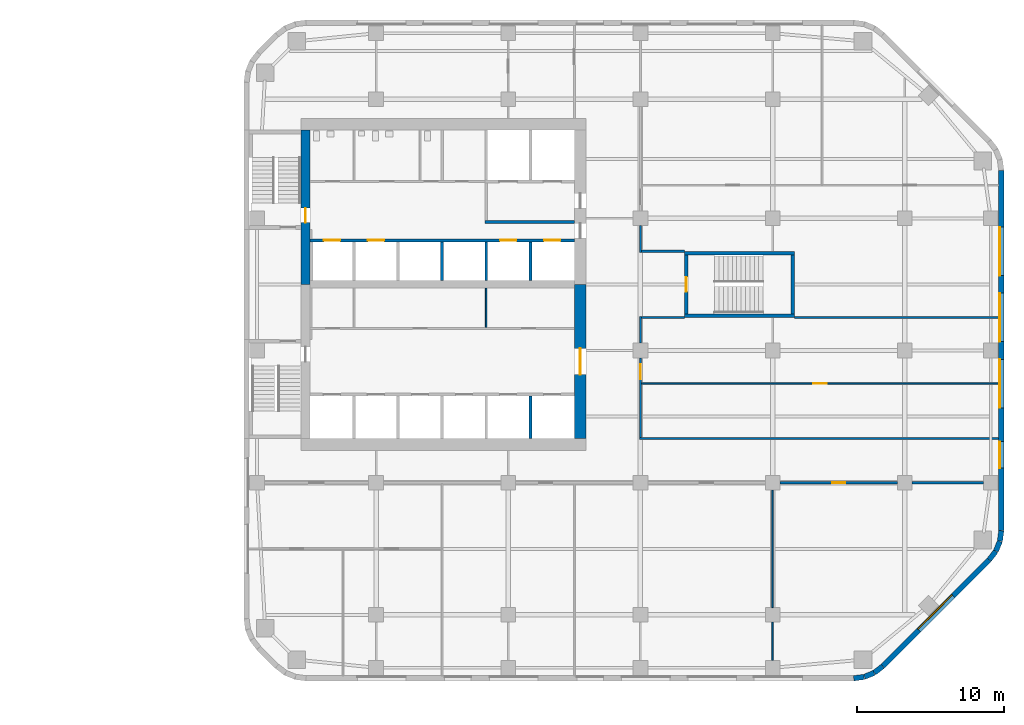
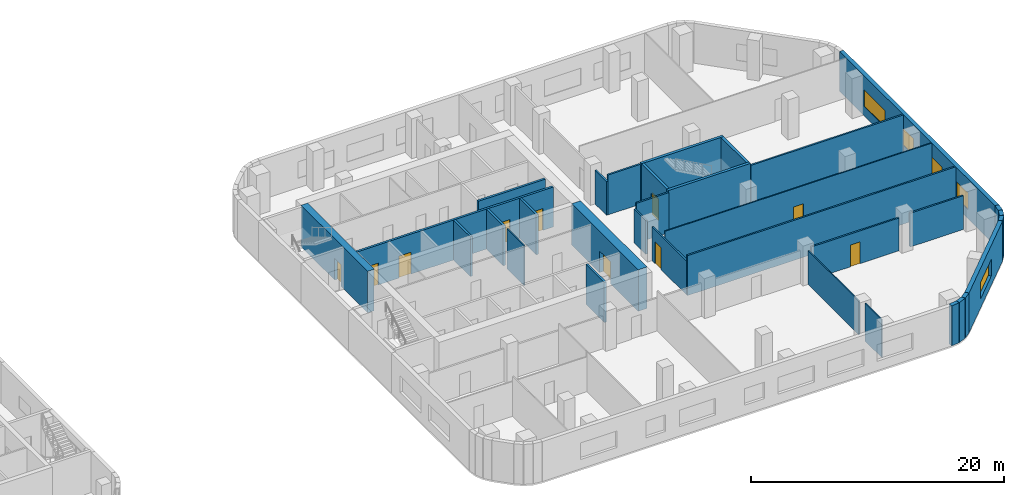
# One storey, part 9 of 14: 33 walls, 10 doors, 5 windows, 15 openings.
"""IFC4 building model written with IfcOpenShell, lengths in metres."""

from ifc_helpers import new_model, si_unit, direction, frame, frame_2d, origin, place, context, subcontext, project, spatial, rectangle, extrude, material, layer, layer_set, type_object, element, fill, save


model = new_model("IFC4")

# Units and contexts
model_context = context("Model", 3, precision=1e-05, world=origin(), true_north=direction((0.0, 1.0)))
body_context = subcontext(model_context, "Body", "Model", "MODEL_VIEW")
ifc_project = project(units=[si_unit("LENGTHUNIT", "METRE"), si_unit("AREAUNIT", "SQUARE_METRE"), si_unit("VOLUMEUNIT", "CUBIC_METRE"), si_unit("PLANEANGLEUNIT", "RADIAN"), si_unit("MASSUNIT", "GRAM", prefix="KILO")], contexts=[model_context])

# Site, building, storey
site_placement = place(None, origin())
site = spatial("IfcSite", under=ifc_project, at=site_placement, CompositionType="ELEMENT")
building_placement = place(site_placement, origin())
building = spatial("IfcBuilding", under=site, at=building_placement, Name="Cinnabar Reach Civic Tower", CompositionType="ELEMENT")
storey_placement = place(building_placement, frame((0.0, 0.0, 124.0)))
storey = spatial("IfcBuildingStorey", under=building, at=storey_placement, Name="L29", CompositionType="ELEMENT", Elevation=124.0)

# Walls
ifc_material_1 = material(Name="Facing brick with insulated backing", Category="masonry")
ifc_layer_1 = layer(ifc_material_1, 0.36)
ifc_layer_set_1 = layer_set([ifc_layer_1], Name="Brick corner wall")
wall_type_1 = type_object("IfcWallType", Name="Brick corner wall", PredefinedType="STANDARD", material=ifc_layer_set_1)
for number, where, z_axis, x_axis, name in (
    (1, (41.5186, 4.683, 0.0), (0.0, 0.0, 1.0), (0.99144092581, 0.13055608231, 0.0), "Brick corner wall"),
    (2, (42.2473, 4.7819, 0.0), (0.0, 0.0, 1.0), (0.923871547278, 0.382702709855, 0.0), "Brick corner wall"),
):
    element("IfcWall", number, at=place(storey_placement, frame(where, z_axis=z_axis, x_axis=x_axis)), inside=storey, type_object=wall_type_1, Name=name, PredefinedType="STANDARD", context=body_context, shape_type="SweptSolid", body=[
        extrude(rectangle(XDim=0.7131, YDim=0.36, at=frame_2d((0.3565, 0.0))), origin(), (0.0, 0.0, 1.0), 3.85),
    ])
for number, where, z_axis, x_axis, name in (
    (3, (42.9255, 5.066, 0.0), (0.0, 0.0, 1.0), (0.793321924995, 0.608802368033, 0.0), "Brick corner wall"),
    (4, (50.7498, 12.7587, 0.0), (0.0, 0.0, 1.0), (0.608802368033, 0.793321924995, 0.0), "Brick corner wall"),
):
    element("IfcWall", number, at=place(storey_placement, frame(where, z_axis=z_axis, x_axis=x_axis)), inside=storey, type_object=wall_type_1, Name=name, PredefinedType="STANDARD", context=body_context, shape_type="SweptSolid", body=[
        extrude(rectangle(XDim=0.7132, YDim=0.36, at=frame_2d((0.3566, 0.0))), origin(), (0.0, 0.0, 1.0), 3.85),
    ])
for number, where, z_axis, x_axis, name in (
    (5, (51.1952, 13.3439, 0.0), (0.0, 0.0, 1.0), (0.382702709855, 0.923871547278, 0.0), "Brick corner wall"),
    (6, (51.4739, 14.0244, 0.0), (0.0, 0.0, 1.0), (0.13055608231, 0.99144092581, 0.0), "Brick corner wall"),
):
    element("IfcWall", number, at=place(storey_placement, frame(where, z_axis=z_axis, x_axis=x_axis)), inside=storey, type_object=wall_type_1, Name=name, PredefinedType="STANDARD", context=body_context, shape_type="SweptSolid", body=[
        extrude(rectangle(XDim=0.7131, YDim=0.36, at=frame_2d((0.3565, 0.0))), origin(), (0.0, 0.0, 1.0), 3.85),
    ])

# Wall, opening, window
ifc_layer_2 = layer(ifc_material_1, 0.36)
ifc_layer_set_2 = layer_set([ifc_layer_2], Name="Brick pier and spandrel wall")
wall_type_2 = type_object("IfcWallType", Name="Brick pier and spandrel wall", PredefinedType="STANDARD", material=ifc_layer_set_2)
wall_1_placement = place(storey_placement, frame((43.5014, 5.506, 0.0), z_axis=(0.0, 0.0, 1.0), x_axis=(0.707106781187, 0.707106781187, 0.0)))
wall_1 = element("IfcWall", 7, at=wall_1_placement, inside=storey, type_object=wall_type_2, Name="Brick facade wall", PredefinedType="STANDARD", context=body_context, shape_type="SweptSolid", body=[
    extrude(rectangle(XDim=10.2426, YDim=0.36, at=frame_2d((5.1213, 0.0))), origin(), (0.0, 0.0, 1.0), 3.85),
])
opening_1_placement = place(wall_1_placement, frame((3.4713, 0.0, 0.9)))
opening_1 = element("IfcOpeningElement", 8, at=opening_1_placement, cuts=wall_1, Name="Opening W1618", PredefinedType="OPENING", context=body_context, shape_type="SweptSolid", body=[
    extrude(rectangle(XDim=3.3, YDim=1.6, at=frame_2d((1.65, 0.8))), frame((0.0, 0.19, 0.0), z_axis=(0.0, -1.0, 0.0), x_axis=(1.0, 0.0, 0.0)), (0.0, 0.0, 1.0), 0.38),
])
ifc_material_2 = material(Name="Clear double glazing in aluminium frame", Category="aluminium")
window_type_1 = type_object("IfcWindowType", Name="Deep-set window A", PartitioningType="SINGLE_PANEL", PredefinedType="WINDOW", material=ifc_material_2)
window_1_placement = place(opening_1_placement, origin())
window_1 = element("IfcWindow", 9, at=window_1_placement, inside=storey, type_object=window_type_1, Name="Window southeast face", OverallHeight=1.6, OverallWidth=3.3, PartitioningType="SINGLE_PANEL", PredefinedType="WINDOW", context=body_context, shape_type="SweptSolid", body=[
    extrude(rectangle(XDim=3.3, YDim=1.6, at=frame_2d((1.65, 0.8))), frame((0.0, 0.13, 0.0), z_axis=(0.0, -1.0, 0.0), x_axis=(1.0, 0.0, 0.0)), (0.0, 0.0, 1.0), 0.06),
])
fill(opening_1, window_1)

# Wall, openings, windows
wall_2_placement = place(storey_placement, frame((51.57, 14.7426, 0.0), z_axis=(0.0, 0.0, 1.0), x_axis=(0.0, 1.0, 0.0)))
wall_2 = element("IfcWall", 10, at=wall_2_placement, inside=storey, type_object=wall_type_2, Name="Brick facade wall", PredefinedType="STANDARD", context=body_context, shape_type="SweptSolid", body=[
    extrude(rectangle(XDim=24.5148, YDim=0.36, at=frame_2d((12.2574, 0.0))), origin(), (0.0, 0.0, 1.0), 3.85),
])
opening_2_placement = place(wall_2_placement, frame((4.2574, 0.0, 0.9)))
opening_2 = element("IfcOpeningElement", 11, at=opening_2_placement, cuts=wall_2, Name="Opening W1619", PredefinedType="OPENING", context=body_context, shape_type="SweptSolid", body=[
    extrude(rectangle(XDim=1.8, YDim=1.6, at=frame_2d((0.9, 0.8))), frame((0.0, 0.19, 0.0), z_axis=(0.0, -1.0, 0.0), x_axis=(1.0, 0.0, 0.0)), (0.0, 0.0, 1.0), 0.38),
])
opening_3_placement = place(wall_2_placement, frame((8.3574, 0.0, 0.9)))
opening_3 = element("IfcOpeningElement", 12, at=opening_3_placement, cuts=wall_2, Name="Opening W1620", PredefinedType="OPENING", context=body_context, shape_type="SweptSolid", body=[
    extrude(rectangle(XDim=3.3, YDim=1.6, at=frame_2d((1.65, 0.8))), frame((0.0, 0.19, 0.0), z_axis=(0.0, -1.0, 0.0), x_axis=(1.0, 0.0, 0.0)), (0.0, 0.0, 1.0), 0.38),
])
opening_4_placement = place(wall_2_placement, frame((12.8574, 0.0, 0.9)))
opening_4 = element("IfcOpeningElement", 13, at=opening_4_placement, cuts=wall_2, Name="Opening W1621", PredefinedType="OPENING", context=body_context, shape_type="SweptSolid", body=[
    extrude(rectangle(XDim=3.3, YDim=1.6, at=frame_2d((1.65, 0.8))), frame((0.0, 0.19, 0.0), z_axis=(0.0, -1.0, 0.0), x_axis=(1.0, 0.0, 0.0)), (0.0, 0.0, 1.0), 0.38),
])
opening_5_placement = place(wall_2_placement, frame((17.3574, 0.0, 0.9)))
opening_5 = element("IfcOpeningElement", 14, at=opening_5_placement, cuts=wall_2, Name="Opening W1622", PredefinedType="OPENING", context=body_context, shape_type="SweptSolid", body=[
    extrude(rectangle(XDim=3.3, YDim=1.6, at=frame_2d((1.65, 0.8))), frame((0.0, 0.19, 0.0), z_axis=(0.0, -1.0, 0.0), x_axis=(1.0, 0.0, 0.0)), (0.0, 0.0, 1.0), 0.38),
])
window_2_placement = place(opening_3_placement, origin())
window_2 = element("IfcWindow", 15, at=window_2_placement, inside=storey, type_object=window_type_1, Name="Window east face", OverallHeight=1.6, OverallWidth=3.3, PartitioningType="SINGLE_PANEL", PredefinedType="WINDOW", context=body_context, shape_type="SweptSolid", body=[
    extrude(rectangle(XDim=3.3, YDim=1.6, at=frame_2d((1.65, 0.8))), frame((0.0, 0.13, 0.0), z_axis=(0.0, -1.0, 0.0), x_axis=(1.0, 0.0, 0.0)), (0.0, 0.0, 1.0), 0.06),
])
fill(opening_3, window_2)
window_3_placement = place(opening_4_placement, origin())
window_3 = element("IfcWindow", 16, at=window_3_placement, inside=storey, type_object=window_type_1, Name="Window east face", OverallHeight=1.6, OverallWidth=3.3, PartitioningType="SINGLE_PANEL", PredefinedType="WINDOW", context=body_context, shape_type="SweptSolid", body=[
    extrude(rectangle(XDim=3.3, YDim=1.6, at=frame_2d((1.65, 0.8))), frame((0.0, 0.13, 0.0), z_axis=(0.0, -1.0, 0.0), x_axis=(1.0, 0.0, 0.0)), (0.0, 0.0, 1.0), 0.06),
])
fill(opening_4, window_3)
window_4_placement = place(opening_5_placement, origin())
window_4 = element("IfcWindow", 17, at=window_4_placement, inside=storey, type_object=window_type_1, Name="Window east face", OverallHeight=1.6, OverallWidth=3.3, PartitioningType="SINGLE_PANEL", PredefinedType="WINDOW", context=body_context, shape_type="SweptSolid", body=[
    extrude(rectangle(XDim=3.3, YDim=1.6, at=frame_2d((1.65, 0.8))), frame((0.0, 0.13, 0.0), z_axis=(0.0, -1.0, 0.0), x_axis=(1.0, 0.0, 0.0)), (0.0, 0.0, 1.0), 0.06),
])
fill(opening_5, window_4)
window_type_2 = type_object("IfcWindowType", Name="Deep-set window D", PartitioningType="SINGLE_PANEL", PredefinedType="WINDOW", material=ifc_material_2)
window_5_placement = place(opening_2_placement, origin())
window_5 = element("IfcWindow", 18, at=window_5_placement, inside=storey, type_object=window_type_2, Name="Window east face", OverallHeight=1.6, OverallWidth=1.8, PartitioningType="SINGLE_PANEL", PredefinedType="WINDOW", context=body_context, shape_type="SweptSolid", body=[
    extrude(rectangle(XDim=1.8, YDim=1.6, at=frame_2d((0.9, 0.8))), frame((0.0, 0.13, 0.0), z_axis=(0.0, -1.0, 0.0), x_axis=(1.0, 0.0, 0.0)), (0.0, 0.0, 1.0), 0.06),
])
fill(opening_2, window_5)

# Wall, opening, door
ifc_material_3 = material(Name="Concrete C70", Category="concrete")
ifc_layer_3 = layer(ifc_material_3, 0.6)
ifc_layer_set_3 = layer_set([ifc_layer_3], Name="Core wall 600 EI 180")
wall_type_3 = type_object("IfcWallType", Name="Core wall 600 EI 180", PredefinedType="SOLIDWALL", material=ifc_layer_set_3)
wall_3_placement = place(storey_placement, frame((4.2, 42.0, 0.0), z_axis=(0.0, 0.0, 1.0), x_axis=(0.0, -1.0, 0.0)))
wall_3 = element("IfcWall", 19, at=wall_3_placement, inside=storey, type_object=wall_type_3, Name="Core wall T1 L29 W", PredefinedType="SOLIDWALL", context=body_context, shape_type="SweptSolid", body=[
    extrude(rectangle(XDim=10.5, YDim=0.6, at=frame_2d((5.25, 0.0))), origin(), (0.0, 0.0, 1.0), 4.0),
])
opening_6_placement = place(wall_3_placement, frame((5.3, 0.0, 0.0)))
opening_6 = element("IfcOpeningElement", 20, at=opening_6_placement, cuts=wall_3, Name="Opening D4174", PredefinedType="OPENING", context=body_context, shape_type="SweptSolid", body=[
    extrude(rectangle(XDim=1.0, YDim=2.1, at=frame_2d((0.5, 1.05))), frame((0.0, 0.31, 0.0), z_axis=(0.0, -1.0, 0.0), x_axis=(1.0, 0.0, 0.0)), (0.0, 0.0, 1.0), 0.62),
])
ifc_material_4 = material(Name="Timber door leaf in steel frame", Category="steel")
door_type_1 = type_object("IfcDoorType", Name="Stair door 1000 x 2100 T1", OperationType="SINGLE_SWING_LEFT", PredefinedType="DOOR", material=ifc_material_4)
door_1_placement = place(opening_6_placement, frame((1.0, 0.0, 0.0), z_axis=(0.0, 0.0, 1.0), x_axis=(-1.0, 0.0, 0.0)))
door_1 = element("IfcDoor", 21, at=door_1_placement, inside=storey, type_object=door_type_1, Name="Door D4174", OperationType="SINGLE_SWING_LEFT", OverallHeight=2.1, OverallWidth=1.0, PredefinedType="DOOR", context=body_context, shape_type="SweptSolid", body=[
    extrude(rectangle(XDim=1.0, YDim=2.1, at=frame_2d((0.5, 1.05))), frame((0.0, 0.025, 0.0), z_axis=(0.0, -1.0, 0.0), x_axis=(1.0, 0.0, 0.0)), (0.0, 0.0, 1.0), 0.05),
])
fill(opening_6, door_1)

ifc_layer_4 = layer(ifc_material_3, 0.8)
ifc_layer_set_4 = layer_set([ifc_layer_4], Name="Core wall 800 EI 180")
wall_type_4 = type_object("IfcWallType", Name="Core wall 800 EI 180", PredefinedType="SOLIDWALL", material=ifc_layer_set_4)
wall_4_placement = place(storey_placement, frame((22.9, 21.0, 0.0), z_axis=(0.0, 0.0, 1.0), x_axis=(0.0, 1.0, 0.0)))
wall_4 = element("IfcWall", 22, at=wall_4_placement, inside=storey, type_object=wall_type_4, Name="Core wall T1 L29 E", PredefinedType="SOLIDWALL", context=body_context, shape_type="SweptSolid", body=[
    extrude(rectangle(XDim=10.5, YDim=0.8, at=frame_2d((5.25, 0.0))), origin(), (0.0, 0.0, 1.0), 4.0),
])
opening_7_placement = place(wall_4_placement, frame((4.35, 0.0, 0.0)))
opening_7 = element("IfcOpeningElement", 23, at=opening_7_placement, cuts=wall_4, Name="Opening D4188", PredefinedType="OPENING", context=body_context, shape_type="SweptSolid", body=[
    extrude(rectangle(XDim=1.8, YDim=2.1, at=frame_2d((0.9, 1.05))), frame((0.0, 0.41, 0.0), z_axis=(0.0, -1.0, 0.0), x_axis=(1.0, 0.0, 0.0)), (0.0, 0.0, 1.0), 0.82),
])
door_type_2 = type_object("IfcDoorType", Name="Double swing door 1800 x 2100 T1", OperationType="DOUBLE_DOOR_DOUBLE_SWING", PredefinedType="DOOR", material=ifc_material_4)
door_2_placement = place(opening_7_placement, origin())
door_2 = element("IfcDoor", 24, at=door_2_placement, inside=storey, type_object=door_type_2, Name="Door D4188", OperationType="DOUBLE_DOOR_DOUBLE_SWING", OverallHeight=2.1, OverallWidth=1.8, PredefinedType="DOOR", context=body_context, shape_type="SweptSolid", body=[
    extrude(rectangle(XDim=1.8, YDim=2.1, at=frame_2d((0.9, 1.05))), frame((0.0, 0.025, 0.0), z_axis=(0.0, -1.0, 0.0), x_axis=(1.0, 0.0, 0.0)), (0.0, 0.0, 1.0), 0.05),
])
fill(opening_7, door_2)

# Wall
ifc_material_5 = material(Name="Gypsum board on steel studs, double layer", Category="steel")
ifc_layer_5 = layer(ifc_material_5, 0.15)
ifc_layer_set_5 = layer_set([ifc_layer_5], Name="Corridor wall 150 T1")
wall_type_5 = type_object("IfcWallType", Name="Corridor wall 150 T1", PredefinedType="PARTITIONING", material=ifc_layer_set_5)
wall_5_placement = place(storey_placement, frame((45.5, 18.0, 0.0), z_axis=(0.0, 0.0, 1.0), x_axis=(1.0, 0.0, 0.0)))
element("IfcWall", 25, at=wall_5_placement, inside=storey, type_object=wall_type_5, Name="Corridor wall 19", PredefinedType="PARTITIONING", context=body_context, shape_type="SweptSolid", body=[
    extrude(rectangle(XDim=4.85, YDim=0.15, at=frame_2d((2.425, 0.0))), origin(), (0.0, 0.0, 1.0), 3.254),
])

# Wall, opening, door
wall_6_placement = place(storey_placement, frame((36.5, 18.0, 0.0), z_axis=(0.0, 0.0, 1.0), x_axis=(1.0, 0.0, 0.0)))
wall_6 = element("IfcWall", 26, at=wall_6_placement, inside=storey, type_object=wall_type_5, Name="Corridor wall 20", PredefinedType="PARTITIONING", context=body_context, shape_type="SweptSolid", body=[
    extrude(rectangle(XDim=8.0, YDim=0.15, at=frame_2d((4.0, 0.0))), origin(), (0.0, 0.0, 1.0), 3.158),
])
opening_8_placement = place(wall_6_placement, frame((3.55, 0.0, 0.0)))
opening_8 = element("IfcOpeningElement", 27, at=opening_8_placement, cuts=wall_6, Name="Opening D4209", PredefinedType="OPENING", context=body_context, shape_type="SweptSolid", body=[
    extrude(rectangle(XDim=0.9, YDim=2.1, at=frame_2d((0.45, 1.05))), frame((0.0, 0.085, 0.0), z_axis=(0.0, -1.0, 0.0), x_axis=(1.0, 0.0, 0.0)), (0.0, 0.0, 1.0), 0.17),
])
door_type_3 = type_object("IfcDoorType", Name="Single swing door 900 x 2100 corridor T1", OperationType="SINGLE_SWING_LEFT", PredefinedType="DOOR", material=ifc_material_4)
door_3_placement = place(opening_8_placement, frame((0.9, 0.0, 0.0), z_axis=(0.0, 0.0, 1.0), x_axis=(-1.0, 0.0, 0.0)))
door_3 = element("IfcDoor", 28, at=door_3_placement, inside=storey, type_object=door_type_3, Name="Door D4209", OperationType="SINGLE_SWING_LEFT", OverallHeight=2.1, OverallWidth=0.9, PredefinedType="DOOR", context=body_context, shape_type="SweptSolid", body=[
    extrude(rectangle(XDim=0.9, YDim=2.1, at=frame_2d((0.45, 1.05))), frame((0.0, 0.025, 0.0), z_axis=(0.0, -1.0, 0.0), x_axis=(1.0, 0.0, 0.0)), (0.0, 0.0, 1.0), 0.05),
])
fill(opening_8, door_3)

# Walls
wall_7_placement = place(storey_placement, frame((26.925, 21.0, 0.0), z_axis=(0.0, 0.0, 1.0), x_axis=(1.0, 0.0, 0.0)))
element("IfcWall", 29, at=wall_7_placement, inside=storey, type_object=wall_type_5, Name="Corridor wall 25", PredefinedType="PARTITIONING", context=body_context, shape_type="SweptSolid", body=[
    extrude(rectangle(XDim=24.465, YDim=0.15, at=frame_2d((12.2325, 0.0))), origin(), (0.0, 0.0, 1.0), 3.85),
])
wall_8_placement = place(storey_placement, frame((27.0, 33.675, 0.0), z_axis=(0.0, 0.0, 1.0), x_axis=(0.0, 1.0, 0.0)))
element("IfcWall", 30, at=wall_8_placement, inside=storey, type_object=wall_type_5, Name="Corridor wall 27", PredefinedType="PARTITIONING", context=body_context, shape_type="SweptSolid", body=[
    extrude(rectangle(XDim=1.825, YDim=0.15, at=frame_2d((0.9125, 0.0))), origin(), (0.0, 0.0, 1.0), 3.256),
])

# Wall, opening, door
wall_9_placement = place(storey_placement, frame((27.0, 21.075, 0.0), z_axis=(0.0, 0.0, 1.0), x_axis=(0.0, 1.0, 0.0)))
wall_9 = element("IfcWall", 31, at=wall_9_placement, inside=storey, type_object=wall_type_5, Name="Corridor wall 31", PredefinedType="PARTITIONING", context=body_context, shape_type="SweptSolid", body=[
    extrude(rectangle(XDim=5.425, YDim=0.15, at=frame_2d((2.7125, 0.0))), origin(), (0.0, 0.0, 1.0), 3.256),
])
opening_9_placement = place(wall_9_placement, frame((3.975, 0.0, 0.0)))
opening_9 = element("IfcOpeningElement", 32, at=opening_9_placement, cuts=wall_9, Name="Opening D4202", PredefinedType="OPENING", context=body_context, shape_type="SweptSolid", body=[
    extrude(rectangle(XDim=1.0, YDim=2.1, at=frame_2d((0.5, 1.05))), frame((0.0, 0.085, 0.0), z_axis=(0.0, -1.0, 0.0), x_axis=(1.0, 0.0, 0.0)), (0.0, 0.0, 1.0), 0.17),
])
door_type_4 = type_object("IfcDoorType", Name="Tenancy entrance door 1000 x 2100 T1", OperationType="SINGLE_SWING_LEFT", PredefinedType="DOOR", material=ifc_material_4)
door_4_placement = place(opening_9_placement, frame((1.0, 0.0, 0.0), z_axis=(0.0, 0.0, 1.0), x_axis=(-1.0, 0.0, 0.0)))
door_4 = element("IfcDoor", 33, at=door_4_placement, inside=storey, type_object=door_type_4, Name="Door D4202", OperationType="SINGLE_SWING_RIGHT", OverallHeight=2.1, OverallWidth=1.0, PredefinedType="DOOR", context=body_context, shape_type="SweptSolid", body=[
    extrude(rectangle(XDim=1.0, YDim=2.1, at=frame_2d((0.5, 1.05))), frame((0.0, 0.025, 0.0), z_axis=(0.0, -1.0, 0.0), x_axis=(1.0, 0.0, 0.0)), (0.0, 0.0, 1.0), 0.05),
])
fill(opening_9, door_4)

# Walls
wall_10_placement = place(storey_placement, frame((27.0, 27.5, 0.0), z_axis=(0.0, 0.0, 1.0), x_axis=(0.0, 1.0, 0.0)))
element("IfcWall", 34, at=wall_10_placement, inside=storey, type_object=wall_type_5, Name="Corridor wall 32", PredefinedType="PARTITIONING", context=body_context, shape_type="SweptSolid", body=[
    extrude(rectangle(XDim=1.825, YDim=0.15, at=frame_2d((0.9125, 0.0))), origin(), (0.0, 0.0, 1.0), 3.256),
])
for number, where, z_axis, x_axis, name in (
    (35, (27.075, 29.25, 0.0), (0.0, 0.0, 1.0), (1.0, 0.0, 0.0), "Corridor wall 36"),
    (36, (27.075, 33.75, 0.0), (0.0, 0.0, 1.0), (1.0, 0.0, 0.0), "Corridor wall 37"),
):
    element("IfcWall", number, at=place(storey_placement, frame(where, z_axis=z_axis, x_axis=x_axis)), inside=storey, type_object=wall_type_5, Name=name, PredefinedType="PARTITIONING", context=body_context, shape_type="SweptSolid", body=[
        extrude(rectangle(XDim=2.925, YDim=0.15, at=frame_2d((1.4625, 0.0))), origin(), (0.0, 0.0, 1.0), 3.85),
    ])

# Wall, openings, doors
ifc_material_6 = material(Name="Blockwork", Category="masonry")
ifc_layer_6 = layer(ifc_material_6, 0.2)
ifc_layer_set_6 = layer_set([ifc_layer_6], Name="Lift shaft wall 200 T1")
wall_type_6 = type_object("IfcWallType", Name="Lift shaft wall 200 T1", PredefinedType="PARTITIONING", material=ifc_layer_set_6)
wall_11_placement = place(storey_placement, frame((4.5, 34.5, 0.0), z_axis=(0.0, 0.0, 1.0), x_axis=(1.0, 0.0, 0.0)))
wall_11 = element("IfcWall", 37, at=wall_11_placement, inside=storey, type_object=wall_type_6, Name="Lift shaft wall 5", PredefinedType="PARTITIONING", context=body_context, shape_type="SweptSolid", body=[
    extrude(rectangle(XDim=18.0, YDim=0.2, at=frame_2d((9.0, 0.0))), origin(), (0.0, 0.0, 1.0), 3.85),
])
opening_10_placement = place(wall_11_placement, frame((0.95, 0.0, 0.0)))
opening_10 = element("IfcOpeningElement", 38, at=opening_10_placement, cuts=wall_11, Name="Opening D4182", PredefinedType="OPENING", context=body_context, shape_type="SweptSolid", body=[
    extrude(rectangle(XDim=1.1, YDim=2.1, at=frame_2d((0.55, 1.05))), frame((0.0, 0.11, 0.0), z_axis=(0.0, -1.0, 0.0), x_axis=(1.0, 0.0, 0.0)), (0.0, 0.0, 1.0), 0.22),
])
opening_11_placement = place(wall_11_placement, frame((3.95, 0.0, 0.0)))
opening_11 = element("IfcOpeningElement", 39, at=opening_11_placement, cuts=wall_11, Name="Opening D4183", PredefinedType="OPENING", context=body_context, shape_type="SweptSolid", body=[
    extrude(rectangle(XDim=1.1, YDim=2.1, at=frame_2d((0.55, 1.05))), frame((0.0, 0.11, 0.0), z_axis=(0.0, -1.0, 0.0), x_axis=(1.0, 0.0, 0.0)), (0.0, 0.0, 1.0), 0.22),
])
opening_12_placement = place(wall_11_placement, frame((12.95, 0.0, 0.0)))
opening_12 = element("IfcOpeningElement", 40, at=opening_12_placement, cuts=wall_11, Name="Opening D4184", PredefinedType="OPENING", context=body_context, shape_type="SweptSolid", body=[
    extrude(rectangle(XDim=1.1, YDim=2.1, at=frame_2d((0.55, 1.05))), frame((0.0, 0.11, 0.0), z_axis=(0.0, -1.0, 0.0), x_axis=(1.0, 0.0, 0.0)), (0.0, 0.0, 1.0), 0.22),
])
opening_13_placement = place(wall_11_placement, frame((15.95, 0.0, 0.0)))
opening_13 = element("IfcOpeningElement", 41, at=opening_13_placement, cuts=wall_11, Name="Opening D4185", PredefinedType="OPENING", context=body_context, shape_type="SweptSolid", body=[
    extrude(rectangle(XDim=1.1, YDim=2.1, at=frame_2d((0.55, 1.05))), frame((0.0, 0.11, 0.0), z_axis=(0.0, -1.0, 0.0), x_axis=(1.0, 0.0, 0.0)), (0.0, 0.0, 1.0), 0.22),
])
ifc_material_7 = material(Name="Stainless steel sliding door", Category="steel")
door_type_5 = type_object("IfcDoorType", Name="Lift landing door 1100 x 2100 T1", OperationType="SLIDING_TO_LEFT", PredefinedType="DOOR", material=ifc_material_7)
door_5_placement = place(opening_10_placement, origin())
door_5 = element("IfcDoor", 42, at=door_5_placement, inside=storey, type_object=door_type_5, Name="Lift landing door SH1 L29", OperationType="SLIDING_TO_LEFT", OverallHeight=2.1, OverallWidth=1.1, PredefinedType="DOOR", context=body_context, shape_type="SweptSolid", body=[
    extrude(rectangle(XDim=1.1, YDim=2.1, at=frame_2d((0.55, 1.05))), frame((0.0, 0.025, 0.0), z_axis=(0.0, -1.0, 0.0), x_axis=(1.0, 0.0, 0.0)), (0.0, 0.0, 1.0), 0.05),
])
fill(opening_10, door_5)
door_6_placement = place(opening_11_placement, origin())
door_6 = element("IfcDoor", 43, at=door_6_placement, inside=storey, type_object=door_type_5, Name="Lift landing door SH2 L29", OperationType="SLIDING_TO_LEFT", OverallHeight=2.1, OverallWidth=1.1, PredefinedType="DOOR", context=body_context, shape_type="SweptSolid", body=[
    extrude(rectangle(XDim=1.1, YDim=2.1, at=frame_2d((0.55, 1.05))), frame((0.0, 0.025, 0.0), z_axis=(0.0, -1.0, 0.0), x_axis=(1.0, 0.0, 0.0)), (0.0, 0.0, 1.0), 0.05),
])
fill(opening_11, door_6)
door_7_placement = place(opening_12_placement, origin())
door_7 = element("IfcDoor", 44, at=door_7_placement, inside=storey, type_object=door_type_5, Name="Lift landing door SV1 L29", OperationType="SLIDING_TO_LEFT", OverallHeight=2.1, OverallWidth=1.1, PredefinedType="DOOR", context=body_context, shape_type="SweptSolid", body=[
    extrude(rectangle(XDim=1.1, YDim=2.1, at=frame_2d((0.55, 1.05))), frame((0.0, 0.025, 0.0), z_axis=(0.0, -1.0, 0.0), x_axis=(1.0, 0.0, 0.0)), (0.0, 0.0, 1.0), 0.05),
])
fill(opening_12, door_7)
door_8_placement = place(opening_13_placement, origin())
door_8 = element("IfcDoor", 45, at=door_8_placement, inside=storey, type_object=door_type_5, Name="Lift landing door SV2 L29", OperationType="SLIDING_TO_LEFT", OverallHeight=2.1, OverallWidth=1.1, PredefinedType="DOOR", context=body_context, shape_type="SweptSolid", body=[
    extrude(rectangle(XDim=1.1, YDim=2.1, at=frame_2d((0.55, 1.05))), frame((0.0, 0.025, 0.0), z_axis=(0.0, -1.0, 0.0), x_axis=(1.0, 0.0, 0.0)), (0.0, 0.0, 1.0), 0.05),
])
fill(opening_13, door_8)

# Walls
for number, where, z_axis, x_axis, name in (
    (46, (13.5, 31.75, 0.0), (0.0, 0.0, 1.0), (0.0, 1.0, 0.0), "Lift shaft wall 14"),
    (47, (16.5, 31.75, 0.0), (0.0, 0.0, 1.0), (0.0, 1.0, 0.0), "Lift shaft wall 16"),
):
    element("IfcWall", number, at=place(storey_placement, frame(where, z_axis=z_axis, x_axis=x_axis)), inside=storey, type_object=wall_type_6, Name=name, PredefinedType="PARTITIONING", context=body_context, shape_type="SweptSolid", body=[
        extrude(rectangle(XDim=2.65, YDim=0.2, at=frame_2d((1.325, 0.0))), origin(), (0.0, 0.0, 1.0), 3.85),
    ])
wall_12_placement = place(storey_placement, frame((19.5, 21.0, 0.0), z_axis=(0.0, 0.0, 1.0), x_axis=(0.0, 1.0, 0.0)))
element("IfcWall", 48, at=wall_12_placement, inside=storey, type_object=wall_type_6, Name="Lift shaft wall 17", PredefinedType="PARTITIONING", context=body_context, shape_type="SweptSolid", body=[
    extrude(rectangle(XDim=2.9, YDim=0.2, at=frame_2d((1.45, 0.0))), origin(), (0.0, 0.0, 1.0), 3.85),
])
wall_13_placement = place(storey_placement, frame((19.5, 31.75, 0.0), z_axis=(0.0, 0.0, 1.0), x_axis=(0.0, 1.0, 0.0)))
element("IfcWall", 49, at=wall_13_placement, inside=storey, type_object=wall_type_6, Name="Lift shaft wall 18", PredefinedType="PARTITIONING", context=body_context, shape_type="SweptSolid", body=[
    extrude(rectangle(XDim=2.65, YDim=0.2, at=frame_2d((1.325, 0.0))), origin(), (0.0, 0.0, 1.0), 3.85),
])

# Wall, opening, door
ifc_material_8 = material(Name="Gypsum board on steel studs", Category="steel")
ifc_layer_7 = layer(ifc_material_8, 0.1)
ifc_layer_set_7 = layer_set([ifc_layer_7], Name="Partition wall 100 T1")
wall_type_7 = type_object("IfcWallType", Name="Partition wall 100 T1", PredefinedType="PARTITIONING", material=ifc_layer_set_7)
wall_14_placement = place(storey_placement, frame((27.075, 24.75, 0.0), z_axis=(0.0, 0.0, 1.0), x_axis=(1.0, 0.0, 0.0)))
wall_14 = element("IfcWall", 50, at=wall_14_placement, inside=storey, type_object=wall_type_7, Name="Partition wall 41", PredefinedType="PARTITIONING", context=body_context, shape_type="SweptSolid", body=[
    extrude(rectangle(XDim=24.315, YDim=0.1, at=frame_2d((12.1575, 0.0))), origin(), (0.0, 0.0, 1.0), 3.85),
])
opening_14_placement = place(wall_14_placement, frame((11.7, 0.0, 0.0)))
opening_14 = element("IfcOpeningElement", 51, at=opening_14_placement, cuts=wall_14, Name="Opening D4203", PredefinedType="OPENING", context=body_context, shape_type="SweptSolid", body=[
    extrude(rectangle(XDim=0.9, YDim=2.1, at=frame_2d((0.45, 1.05))), frame((0.0, 0.06, 0.0), z_axis=(0.0, -1.0, 0.0), x_axis=(1.0, 0.0, 0.0)), (0.0, 0.0, 1.0), 0.12),
])
door_type_6 = type_object("IfcDoorType", Name="Single swing door 900 x 2100 T1", OperationType="SINGLE_SWING_LEFT", PredefinedType="DOOR", material=ifc_material_4)
door_9_placement = place(opening_14_placement, frame((0.9, 0.0, 0.0), z_axis=(0.0, 0.0, 1.0), x_axis=(-1.0, 0.0, 0.0)))
door_9 = element("IfcDoor", 52, at=door_9_placement, inside=storey, type_object=door_type_6, Name="Door D4203", OperationType="SINGLE_SWING_RIGHT", OverallHeight=2.1, OverallWidth=0.9, PredefinedType="DOOR", context=body_context, shape_type="SweptSolid", body=[
    extrude(rectangle(XDim=0.9, YDim=2.1, at=frame_2d((0.45, 1.05))), frame((0.0, 0.025, 0.0), z_axis=(0.0, -1.0, 0.0), x_axis=(1.0, 0.0, 0.0)), (0.0, 0.0, 1.0), 0.05),
])
fill(opening_14, door_9)

# Walls
wall_15_placement = place(storey_placement, frame((36.0, 5.9, 0.0), z_axis=(0.0, 0.0, 1.0), x_axis=(0.0, 1.0, 0.0)))
element("IfcWall", 53, at=wall_15_placement, inside=storey, type_object=wall_type_7, Name="Partition wall 47", PredefinedType="PARTITIONING", context=body_context, shape_type="SweptSolid", body=[
    extrude(rectangle(XDim=2.6, YDim=0.1, at=frame_2d((1.3, 0.0))), origin(), (0.0, 0.0, 1.0), 3.652),
])
wall_16_placement = place(storey_placement, frame((36.0, 9.5, 0.0), z_axis=(0.0, 0.0, 1.0), x_axis=(0.0, 1.0, 0.0)))
element("IfcWall", 54, at=wall_16_placement, inside=storey, type_object=wall_type_7, Name="Partition wall 48", PredefinedType="PARTITIONING", context=body_context, shape_type="SweptSolid", body=[
    extrude(rectangle(XDim=8.0, YDim=0.1, at=frame_2d((4.0, 0.0))), origin(), (0.0, 0.0, 1.0), 3.256),
])
wall_17_placement = place(storey_placement, frame((16.5, 28.575, 0.0), z_axis=(0.0, 0.0, 1.0), x_axis=(0.0, 1.0, 0.0)))
element("IfcWall", 55, at=wall_17_placement, inside=storey, type_object=wall_type_7, Name="Partition wall 56", PredefinedType="PARTITIONING", context=body_context, shape_type="SweptSolid", body=[
    extrude(rectangle(XDim=2.675, YDim=0.1, at=frame_2d((1.3375, 0.0))), origin(), (0.0, 0.0, 1.0), 3.85),
])
ifc_material_9 = material(Name="Concrete C40", Category="concrete")
ifc_layer_8 = layer(ifc_material_9, 0.2)
ifc_layer_set_8 = layer_set([ifc_layer_8], Name="Refuge compartment wall 200 T1")
wall_type_8 = type_object("IfcWallType", Name="Refuge compartment wall 200 T1", PredefinedType="PARTITIONING", material=ifc_layer_set_8)
wall_18_placement = place(storey_placement, frame((16.4, 35.75, 0.0), z_axis=(0.0, 0.0, 1.0), x_axis=(1.0, 0.0, 0.0)))
element("IfcWall", 56, at=wall_18_placement, inside=storey, type_object=wall_type_8, Name="Refuge compartment wall 1", PredefinedType="PARTITIONING", context=body_context, shape_type="SweptSolid", body=[
    extrude(rectangle(XDim=6.1, YDim=0.2, at=frame_2d((3.05, 0.0))), origin(), (0.0, 0.0, 1.0), 3.85),
])
ifc_material_10 = material(Name="Concrete C60", Category="concrete")
ifc_layer_9 = layer(ifc_material_10, 0.25)
ifc_layer_set_9 = layer_set([ifc_layer_9], Name="Stair shaft wall 250 EI 120")
wall_type_9 = type_object("IfcWallType", Name="Stair shaft wall 250 EI 120", PredefinedType="SOLIDWALL", material=ifc_layer_set_9)
for number, where, z_axis, x_axis, name in (
    (57, (30.0, 29.375, 0.0), (0.0, 0.0, 1.0), (1.0, 0.0, 0.0), "Stair shaft wall T1-S3 L29"),
    (58, (37.5, 33.625, 0.0), (0.0, 0.0, 1.0), (-1.0, 0.0, 0.0), "Stair shaft wall T1-S3 L29"),
):
    element("IfcWall", number, at=place(storey_placement, frame(where, z_axis=z_axis, x_axis=x_axis)), inside=storey, type_object=wall_type_9, Name=name, PredefinedType="SOLIDWALL", context=body_context, shape_type="SweptSolid", body=[
        extrude(rectangle(XDim=7.5, YDim=0.25, at=frame_2d((3.75, 0.0))), origin(), (0.0, 0.0, 1.0), 4.0),
    ])
wall_19_placement = place(storey_placement, frame((37.375, 29.5, 0.0), z_axis=(0.0, 0.0, 1.0), x_axis=(0.0, 1.0, 0.0)))
element("IfcWall", 59, at=wall_19_placement, inside=storey, type_object=wall_type_9, Name="Stair shaft wall T1-S3 L29", PredefinedType="SOLIDWALL", context=body_context, shape_type="SweptSolid", body=[
    extrude(rectangle(XDim=4.0, YDim=0.25, at=frame_2d((2.0, 0.0))), origin(), (0.0, 0.0, 1.0), 4.0),
])

# Wall, opening, door
wall_20_placement = place(storey_placement, frame((30.125, 33.5, 0.0), z_axis=(0.0, 0.0, 1.0), x_axis=(0.0, -1.0, 0.0)))
wall_20 = element("IfcWall", 60, at=wall_20_placement, inside=storey, type_object=wall_type_9, Name="Stair shaft wall T1-S3 L29", PredefinedType="SOLIDWALL", context=body_context, shape_type="SweptSolid", body=[
    extrude(rectangle(XDim=4.0, YDim=0.25, at=frame_2d((2.0, 0.0))), origin(), (0.0, 0.0, 1.0), 4.0),
])
opening_15_placement = place(wall_20_placement, frame((1.5, 0.0, 0.0)))
opening_15 = element("IfcOpeningElement", 61, at=opening_15_placement, cuts=wall_20, Name="Opening D4191", PredefinedType="OPENING", context=body_context, shape_type="SweptSolid", body=[
    extrude(rectangle(XDim=1.0, YDim=2.1, at=frame_2d((0.5, 1.05))), frame((0.0, 0.135, 0.0), z_axis=(0.0, -1.0, 0.0), x_axis=(1.0, 0.0, 0.0)), (0.0, 0.0, 1.0), 0.27),
])
door_10_placement = place(opening_15_placement, origin())
door_10 = element("IfcDoor", 62, at=door_10_placement, inside=storey, type_object=door_type_1, Name="Door D4191", OperationType="SINGLE_SWING_LEFT", OverallHeight=2.1, OverallWidth=1.0, PredefinedType="DOOR", context=body_context, shape_type="SweptSolid", body=[
    extrude(rectangle(XDim=1.0, YDim=2.1, at=frame_2d((0.5, 1.05))), frame((0.0, 0.025, 0.0), z_axis=(0.0, -1.0, 0.0), x_axis=(1.0, 0.0, 0.0)), (0.0, 0.0, 1.0), 0.05),
])
fill(opening_15, door_10)

# Wall
ifc_layer_10 = layer(ifc_material_5, 0.15)
ifc_layer_set_10 = layer_set([ifc_layer_10], Name="Tenancy separating wall 150 T1")
wall_type_10 = type_object("IfcWallType", Name="Tenancy separating wall 150 T1", PredefinedType="PARTITIONING", material=ifc_layer_set_10)
wall_21_placement = place(storey_placement, frame((37.5, 29.25, 0.0), z_axis=(0.0, 0.0, 1.0), x_axis=(1.0, 0.0, 0.0)))
element("IfcWall", 63, at=wall_21_placement, inside=storey, type_object=wall_type_10, Name="Tenancy separating wall 40", PredefinedType="PARTITIONING", context=body_context, shape_type="SweptSolid", body=[
    extrude(rectangle(XDim=13.89, YDim=0.15, at=frame_2d((6.945, 0.0))), origin(), (0.0, 0.0, 1.0), 3.85),
])

save(model, "model.ifc")
